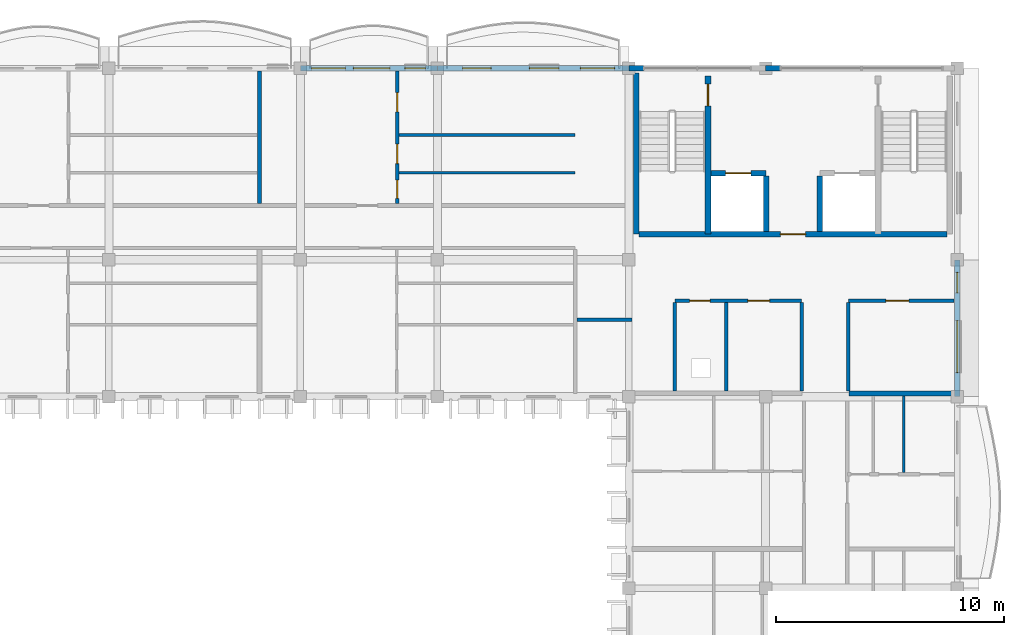
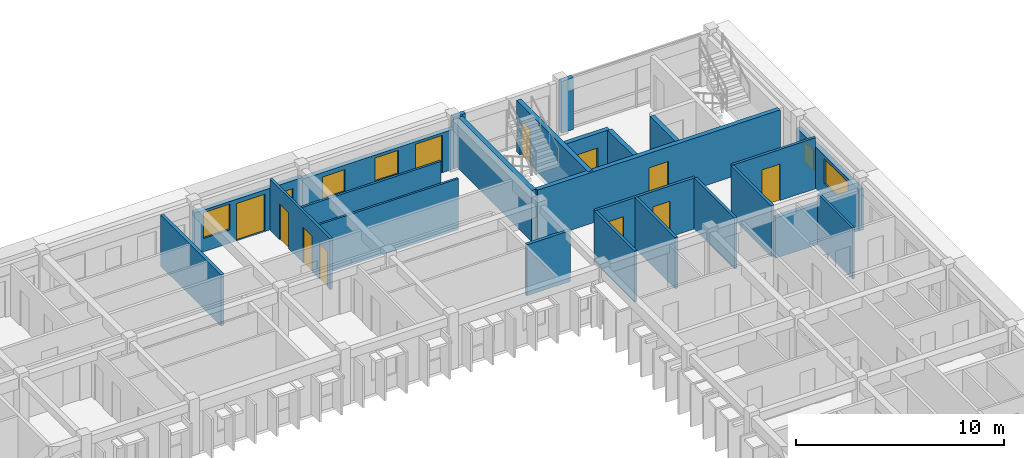
# One storey, part 26 of 45: 24 walls, 11 doors, 6 windows, 17 openings.
"""IFC4 building model written with IfcOpenShell, lengths in metres."""

from ifc_helpers import new_model, si_unit, direction, frame, frame_2d, origin, place, context, subcontext, project, spatial, rectangle, extrude, material, layer, layer_set, type_object, element, fill, save


model = new_model("IFC4")

# Units and contexts
model_context = context("Model", 3, precision=1e-05, world=origin(), true_north=direction((0.0, 1.0)))
body_context = subcontext(model_context, "Body", "Model", "MODEL_VIEW")
ifc_project = project(units=[si_unit("LENGTHUNIT", "METRE"), si_unit("AREAUNIT", "SQUARE_METRE"), si_unit("VOLUMEUNIT", "CUBIC_METRE"), si_unit("PLANEANGLEUNIT", "RADIAN"), si_unit("MASSUNIT", "GRAM", prefix="KILO"), si_unit("THERMODYNAMICTEMPERATUREUNIT", "KELVIN")], contexts=[model_context])

# Site, building, storey
site_placement = place(None, origin())
site = spatial("IfcSite", under=ifc_project, at=site_placement, CompositionType="ELEMENT")
building_placement = place(site_placement, origin())
building = spatial("IfcBuilding", under=site, at=building_placement, Name="Thalorik Housing Commons", CompositionType="ELEMENT")
storey_placement = place(building_placement, frame((0.0, 0.0, 34.5)))
storey = spatial("IfcBuildingStorey", under=building, at=storey_placement, Name="L10", CompositionType="ELEMENT", Elevation=34.5)

# Wall, opening, door
ifc_material_1 = material(Name="Concrete C40/50", Category="concrete")
ifc_layer_1 = layer(ifc_material_1, 0.25, Name="Concrete C40/50", Category="concrete")
ifc_layer_set_1 = layer_set([ifc_layer_1], Name="Concrete C40/50")
wall_type_1 = type_object("IfcWallType", Name="ARC-WAL-CORE-250", PredefinedType="SHEAR", material=ifc_layer_set_1)
wall_1_placement = place(storey_placement, frame((155.875, 123.25, 0.0), z_axis=(0.0, 0.0, 1.0), x_axis=(0.0, -1.0, 0.0)))
wall_1 = element("IfcWall", 1, at=wall_1_placement, inside=storey, type_object=wall_type_1, Name="L10 Core B Stair 1 Shear Wall", PredefinedType="SHEAR", context=body_context, shape_type="SweptSolid", body=[
    extrude(rectangle(XDim=6.925048828125, YDim=0.25, at=frame_2d((3.46240234375, 0.0))), origin(), (0.0, 0.0, 1.0), 3.0),
])
opening_1_placement = place(wall_1_placement, frame((0.35009765625, 0.0, 0.0)))
opening_1 = element("IfcOpeningElement", 2, at=opening_1_placement, cuts=wall_1, Name="Opening ID-0225", PredefinedType="OPENING", context=body_context, shape_type="SweptSolid", body=[
    extrude(rectangle(XDim=0.949951171875, YDim=2.10009765625, at=frame_2d((0.47509765625, 1.050048828125))), frame((0.0, 0.135009765625, 0.0), z_axis=(0.0, -1.0, 0.0), x_axis=(1.0, 0.0, 0.0)), (0.0, 0.0, 1.0), 0.27001953125),
])
ifc_material_2 = material(Name="Steel S355", Category="steel")
door_type_1 = type_object("IfcDoorType", Name="ARC-DR-FD60-950", OperationType="NOTDEFINED", PredefinedType="DOOR", material=ifc_material_2)
door_1_placement = place(opening_1_placement, origin())
door_1 = element("IfcDoor", 3, at=door_1_placement, inside=storey, type_object=door_type_1, Name="L10 Stair ST-B1 Fire Door", OperationType="SINGLE_SWING_RIGHT", OverallHeight=2.10009765625, OverallWidth=0.949951171875, PredefinedType="DOOR", context=body_context, shape_type="SweptSolid", body=[
    extrude(rectangle(XDim=0.949951171875, YDim=2.10009765625, at=frame_2d((0.47509765625, 1.050048828125))), frame((0.0, 0.02490234375, 0.0), z_axis=(0.0, -1.0, 0.0), x_axis=(1.0, 0.0, 0.0)), (0.0, 0.0, 1.0), 0.050048828125),
])
fill(opening_1, door_1)

# Wall
wall_2_placement = place(storey_placement, frame((152.72509765625, 123.39990234375, 0.0), z_axis=(0.0, 0.0, 1.0), x_axis=(0.0, -1.0, 0.0)))
element("IfcWall", 4, at=wall_2_placement, inside=storey, type_object=wall_type_1, Name="L10 Core B Stair 1 Outer Shear Wall", PredefinedType="SHEAR", context=body_context, shape_type="SweptSolid", body=[
    extrude(rectangle(XDim=7.074951171875, YDim=0.25, at=frame_2d((3.53759765625, 0.0))), origin(), (0.0, 0.0, 1.0), 3.0),
])

# Wall, opening, door
wall_3_placement = place(storey_placement, frame((156.0, 119.0, 0.0), z_axis=(0.0, 0.0, 1.0), x_axis=(1.0, 0.0, 0.0)))
wall_3 = element("IfcWall", 5, at=wall_3_placement, inside=storey, type_object=wall_type_1, Name="L10 Lift LF-B1 Front Shaft Wall", PredefinedType="SHEAR", context=body_context, shape_type="SweptSolid", body=[
    extrude(rectangle(XDim=2.425048828125, YDim=0.25, at=frame_2d((1.21240234375, 0.0))), origin(), (0.0, 0.0, 1.0), 3.0),
])
opening_2_placement = place(wall_3_placement, frame((0.64990234375, 0.0, 0.0)))
opening_2 = element("IfcOpeningElement", 6, at=opening_2_placement, cuts=wall_3, Name="Opening LD-LF-B1-L10", PredefinedType="OPENING", context=body_context, shape_type="SweptSolid", body=[
    extrude(rectangle(XDim=1.10009765625, YDim=2.14990234375, at=frame_2d((0.550048828125, 1.074951171875))), frame((0.0, 0.135009765625, 0.0), z_axis=(0.0, -1.0, 0.0), x_axis=(1.0, 0.0, 0.0)), (0.0, 0.0, 1.0), 0.27001953125),
])
door_type_2 = type_object("IfcDoorType", Name="ARC-DR-LIFT-1100", OperationType="NOTDEFINED", PredefinedType="DOOR", material=ifc_material_2)
door_2_placement = place(opening_2_placement, origin())
door_2 = element("IfcDoor", 7, at=door_2_placement, inside=storey, type_object=door_type_2, Name="L10 Lift LF-B1 Landing Door", OperationType="SLIDING_TO_LEFT", OverallHeight=2.14990234375, OverallWidth=1.10009765625, PredefinedType="DOOR", context=body_context, shape_type="SweptSolid", body=[
    extrude(rectangle(XDim=1.10009765625, YDim=2.14990234375, at=frame_2d((0.550048828125, 1.074951171875))), frame((0.0, 0.02490234375, 0.0), z_axis=(0.0, -1.0, 0.0), x_axis=(1.0, 0.0, 0.0)), (0.0, 0.0, 1.0), 0.050048828125),
])
fill(opening_2, door_2)

# Walls
for number, where, z_axis, x_axis, name in (
    (8, (158.425048828125, 118.875, 0.0), (0.0, 0.0, 1.0), (0.0, -1.0, 0.0), "L10 Lift 1 Cheek Wall"),
    (9, (160.77490234375, 118.875, 0.0), (0.0, 0.0, 1.0), (0.0, -1.0, 0.0), "L10 Lift 2 Cheek Wall"),
):
    element("IfcWall", number, at=place(storey_placement, frame(where, z_axis=z_axis, x_axis=x_axis)), inside=storey, type_object=wall_type_1, Name=name, PredefinedType="SHEAR", context=body_context, shape_type="SweptSolid", body=[
        extrude(rectangle(XDim=2.425048828125, YDim=0.25, at=frame_2d((1.21240234375, 0.0))), origin(), (0.0, 0.0, 1.0), 3.0),
    ])

# Wall, opening, door
wall_4_placement = place(storey_placement, frame((152.85009765625, 116.324951171875, 0.0), z_axis=(0.0, 0.0, 1.0), x_axis=(1.0, 0.0, 0.0)))
wall_4 = element("IfcWall", 10, at=wall_4_placement, inside=storey, type_object=wall_type_1, Name="L10 Core B Spine Shear Wall", PredefinedType="SHEAR", context=body_context, shape_type="SweptSolid", body=[
    extrude(rectangle(XDim=13.5, YDim=0.25, at=frame_2d((6.75, 0.0))), origin(), (0.0, 0.0, 1.0), 3.0),
])
opening_3_placement = place(wall_4_placement, frame((6.199951171875, 0.0, 0.0)))
opening_3 = element("IfcOpeningElement", 11, at=opening_3_placement, cuts=wall_4, Name="Opening ID-0229", PredefinedType="OPENING", context=body_context, shape_type="SweptSolid", body=[
    extrude(rectangle(XDim=1.10009765625, YDim=2.14990234375, at=frame_2d((0.550048828125, 1.074951171875))), frame((0.0, 0.135009765625, 0.0), z_axis=(0.0, -1.0, 0.0), x_axis=(1.0, 0.0, 0.0)), (0.0, 0.0, 1.0), 0.27001953125),
])
door_type_3 = type_object("IfcDoorType", Name="ARC-DR-FD60-1100", OperationType="NOTDEFINED", PredefinedType="DOOR", material=ifc_material_2)
door_3_placement = place(opening_3_placement, origin())
door_3 = element("IfcDoor", 12, at=door_3_placement, inside=storey, type_object=door_type_3, Name="L10 Core B Lobby Fire Door", OperationType="SINGLE_SWING_RIGHT", OverallHeight=2.14990234375, OverallWidth=1.10009765625, PredefinedType="DOOR", context=body_context, shape_type="SweptSolid", body=[
    extrude(rectangle(XDim=1.10009765625, YDim=2.14990234375, at=frame_2d((0.550048828125, 1.074951171875))), frame((0.0, 0.02490234375, 0.0), z_axis=(0.0, -1.0, 0.0), x_axis=(1.0, 0.0, 0.0)), (0.0, 0.0, 1.0), 0.050048828125),
])
fill(opening_3, door_3)

# Wall
ifc_material_3 = material(Name="Masonry fire-rated corridor wall", Category="masonry")
ifc_layer_2 = layer(ifc_material_3, 0.1650390625, Name="Masonry fire-rated corridor wall", Category="masonry")
ifc_layer_set_2 = layer_set([ifc_layer_2], Name="Masonry fire-rated corridor wall")
wall_type_2 = type_object("IfcWallType", Name="ARC-WAL-CORR-165", PredefinedType="PARTITIONING", material=ifc_layer_set_2)
wall_5_placement = place(storey_placement, frame((150.126953125, 112.570068359375, 0.0), z_axis=(0.0, 0.0, 1.0), x_axis=(1.0, 0.0, 0.0)))
element("IfcWall", 13, at=wall_5_placement, inside=storey, type_object=wall_type_2, Name="L10 Block B Vestibule South Wall", PredefinedType="PARTITIONING", context=body_context, shape_type="SweptSolid", body=[
    extrude(rectangle(XDim=2.4130859375, YDim=0.1650390625, at=frame_2d((1.20654296875, 0.0))), origin(), (0.0, 0.0, 1.0), 3.0),
])

# Wall, openings, windows
ifc_material_4 = material(Name="White precast concrete C40/50", Category="concrete")
ifc_layer_3 = layer(ifc_material_4, 0.2548828125, Name="White precast concrete C40/50", Category="concrete")
ifc_layer_set_3 = layer_set([ifc_layer_3], Name="White precast concrete C40/50")
wall_type_3 = type_object("IfcWallType", Name="ARC-WAL-EXT-255", PredefinedType="STANDARD", material=ifc_layer_set_3)
wall_6_placement = place(storey_placement, frame((166.800048828125, 109.199951171875, 0.0), z_axis=(0.0, 0.0, 1.0), x_axis=(0.0, 1.0, 0.0)))
wall_6 = element("IfcWall", 14, at=wall_6_placement, inside=storey, type_object=wall_type_3, Name="L10 Exterior Wall WAL-EXT-L10-B-0743", PredefinedType="STANDARD", context=body_context, shape_type="SweptSolid", body=[
    extrude(rectangle(XDim=6.0, YDim=0.2548828125, at=frame_2d((3.0, 0.0))), origin(), (0.0, 0.0, 1.0), 2.445068359375),
])
opening_4_placement = place(wall_6_placement, frame((1.054931640625, 0.0, 0.780029296875)))
opening_4 = element("IfcOpeningElement", 15, at=opening_4_placement, cuts=wall_6, Name="Opening W-67", PredefinedType="OPENING", context=body_context, shape_type="SweptSolid", body=[
    extrude(rectangle(XDim=2.280029296875, YDim=1.4599609375, at=frame_2d((1.14013671875, 0.72998046875))), frame((0.0, 0.137451171875, 0.0), z_axis=(0.0, -1.0, 0.0), x_axis=(1.0, 0.0, 0.0)), (0.0, 0.0, 1.0), 0.27490234375),
])
opening_5_placement = place(wall_6_placement, frame((4.554931640625, 0.0, 0.780029296875)))
opening_5 = element("IfcOpeningElement", 16, at=opening_5_placement, cuts=wall_6, Name="Opening W-01", PredefinedType="OPENING", context=body_context, shape_type="SweptSolid", body=[
    extrude(rectangle(XDim=0.89990234375, YDim=1.199951171875, at=frame_2d((0.449951171875, 0.60009765625))), frame((0.0, 0.137451171875, 0.0), z_axis=(0.0, -1.0, 0.0), x_axis=(1.0, 0.0, 0.0)), (0.0, 0.0, 1.0), 0.27490234375),
])
ifc_material_5 = material(Name="Anodised aluminium and solar-control low-E glass", Category="aluminium")
window_type_1 = type_object("IfcWindowType", Name="ARC-WIN-01", PartitioningType="SINGLE_PANEL", PredefinedType="WINDOW", material=ifc_material_5)
window_1_placement = place(opening_5_placement, origin())
window_1 = element("IfcWindow", 17, at=window_1_placement, inside=storey, type_object=window_type_1, Name="L10 Facade Window 1366", OverallHeight=1.199951171875, OverallWidth=0.89990234375, PartitioningType="SINGLE_PANEL", PredefinedType="WINDOW", context=body_context, shape_type="SweptSolid", body=[
    extrude(rectangle(XDim=0.89990234375, YDim=1.199951171875, at=frame_2d((0.449951171875, 0.60009765625))), frame((0.0, 0.030029296875, 0.0), z_axis=(0.0, -1.0, 0.0), x_axis=(1.0, 0.0, 0.0)), (0.0, 0.0, 1.0), 0.06005859375),
])
fill(opening_5, window_1)
window_type_2 = type_object("IfcWindowType", Name="ARC-WIN-67", PartitioningType="DOUBLE_PANEL_VERTICAL", PredefinedType="WINDOW", material=ifc_material_5)
window_2_placement = place(opening_4_placement, origin())
window_2 = element("IfcWindow", 18, at=window_2_placement, inside=storey, type_object=window_type_2, Name="L10 Facade Window 1365", OverallHeight=1.4599609375, OverallWidth=2.280029296875, PartitioningType="DOUBLE_PANEL_VERTICAL", PredefinedType="WINDOW", context=body_context, shape_type="SweptSolid", body=[
    extrude(rectangle(XDim=2.280029296875, YDim=1.4599609375, at=frame_2d((1.14013671875, 0.72998046875))), frame((0.0, 0.030029296875, 0.0), z_axis=(0.0, -1.0, 0.0), x_axis=(1.0, 0.0, 0.0)), (0.0, 0.0, 1.0), 0.06005859375),
])
fill(opening_4, window_2)

# Walls
for number, where, z_axis, x_axis, name in (
    (19, (159.050048828125, 123.60009765625, 0.0), (0.0, 0.0, 1.0), (-1.0, 0.0, 0.0), "L10 Exterior Wall WAL-PIERR-L10-B-0745"),
    (20, (153.050048828125, 123.60009765625, 0.0), (0.0, 0.0, 1.0), (-1.0, 0.0, 0.0), "L10 Exterior Wall WAL-PIERR-L10-B-0746"),
):
    element("IfcWall", number, at=place(storey_placement, frame(where, z_axis=z_axis, x_axis=x_axis)), inside=storey, type_object=wall_type_3, Name=name, PredefinedType="STANDARD", context=body_context, shape_type="SweptSolid", body=[
        extrude(rectangle(XDim=0.650146484375, YDim=0.2548828125, at=frame_2d((0.3251953125, 0.0))), origin(), (0.0, 0.0, 1.0), 3.0400390625),
    ])

# Wall, openings, door, windows
wall_7_placement = place(storey_placement, frame((152.39990234375, 123.60009765625, 0.0), z_axis=(0.0, 0.0, 1.0), x_axis=(-1.0, 0.0, 0.0)))
wall_7 = element("IfcWall", 21, at=wall_7_placement, inside=storey, type_object=wall_type_3, Name="L10 Exterior Wall WAL-EXT-L10-B-0747", PredefinedType="STANDARD", context=body_context, shape_type="SweptSolid", body=[
    extrude(rectangle(XDim=8.39990234375, YDim=0.2548828125, at=frame_2d((4.199951171875, 0.0))), origin(), (0.0, 0.0, 1.0), 2.344970703125),
])
opening_6_placement = place(wall_7_placement, frame((0.6201171875, 0.0, 0.0)))
opening_6 = element("IfcOpeningElement", 22, at=opening_6_placement, cuts=wall_7, Name="Opening ED-0250", PredefinedType="OPENING", context=body_context, shape_type="SweptSolid", body=[
    extrude(rectangle(XDim=1.5, YDim=2.199951171875, at=frame_2d((0.75, 1.10009765625))), frame((0.0, 0.137451171875, 0.0), z_axis=(0.0, -1.0, 0.0), x_axis=(1.0, 0.0, 0.0)), (0.0, 0.0, 1.0), 0.27490234375),
])
opening_7_placement = place(wall_7_placement, frame((3.06494140625, 0.0, 0.780029296875)))
opening_7 = element("IfcOpeningElement", 23, at=opening_7_placement, cuts=wall_7, Name="Opening W-06", PredefinedType="OPENING", context=body_context, shape_type="SweptSolid", body=[
    extrude(rectangle(XDim=1.300048828125, YDim=1.39990234375, at=frame_2d((0.64990234375, 0.699951171875))), frame((0.0, 0.137451171875, 0.0), z_axis=(0.0, -1.0, 0.0), x_axis=(1.0, 0.0, 0.0)), (0.0, 0.0, 1.0), 0.27490234375),
])
opening_8_placement = place(wall_7_placement, frame((6.0400390625, 0.0, 0.780029296875)))
opening_8 = element("IfcOpeningElement", 24, at=opening_8_placement, cuts=wall_7, Name="Opening W-46", PredefinedType="OPENING", context=body_context, shape_type="SweptSolid", body=[
    extrude(rectangle(XDim=1.25, YDim=1.300048828125, at=frame_2d((0.625, 0.64990234375))), frame((0.0, 0.137451171875, 0.0), z_axis=(0.0, -1.0, 0.0), x_axis=(1.0, 0.0, 0.0)), (0.0, 0.0, 1.0), 0.27490234375),
])
ifc_material_6 = material(Name="Anodised aluminium and laminated safety glass", Category="aluminium")
door_type_4 = type_object("IfcDoorType", Name="ARC-DR-BAL-1500", OperationType="NOTDEFINED", PredefinedType="DOOR", material=ifc_material_6)
door_4_placement = place(opening_6_placement, frame((1.5, 0.0, 0.0), z_axis=(0.0, 0.0, 1.0), x_axis=(-1.0, 0.0, 0.0)))
door_4 = element("IfcDoor", 25, at=door_4_placement, inside=storey, type_object=door_type_4, Name="L10 Block B Balcony Glazed Door", OperationType="SLIDING_TO_RIGHT", OverallHeight=2.199951171875, OverallWidth=1.5, PredefinedType="DOOR", context=body_context, shape_type="SweptSolid", body=[
    extrude(rectangle(XDim=1.5, YDim=2.199951171875, at=frame_2d((0.75, 1.10009765625))), frame((0.0, 0.02490234375, 0.0), z_axis=(0.0, -1.0, 0.0), x_axis=(1.0, 0.0, 0.0)), (0.0, 0.0, 1.0), 0.050048828125),
])
fill(opening_6, door_4)
window_type_3 = type_object("IfcWindowType", Name="ARC-WIN-06", PartitioningType="SINGLE_PANEL", PredefinedType="WINDOW", material=ifc_material_5)
window_3_placement = place(opening_7_placement, origin())
window_3 = element("IfcWindow", 26, at=window_3_placement, inside=storey, type_object=window_type_3, Name="L10 Facade Window 1369", OverallHeight=1.39990234375, OverallWidth=1.300048828125, PartitioningType="SINGLE_PANEL", PredefinedType="WINDOW", context=body_context, shape_type="SweptSolid", body=[
    extrude(rectangle(XDim=1.300048828125, YDim=1.39990234375, at=frame_2d((0.64990234375, 0.699951171875))), frame((0.0, 0.030029296875, 0.0), z_axis=(0.0, -1.0, 0.0), x_axis=(1.0, 0.0, 0.0)), (0.0, 0.0, 1.0), 0.06005859375),
])
fill(opening_7, window_3)
window_type_4 = type_object("IfcWindowType", Name="ARC-WIN-46", PartitioningType="SINGLE_PANEL", PredefinedType="WINDOW", material=ifc_material_5)
window_4_placement = place(opening_8_placement, origin())
window_4 = element("IfcWindow", 27, at=window_4_placement, inside=storey, type_object=window_type_4, Name="L10 Facade Window 1370", OverallHeight=1.300048828125, OverallWidth=1.25, PartitioningType="SINGLE_PANEL", PredefinedType="WINDOW", context=body_context, shape_type="SweptSolid", body=[
    extrude(rectangle(XDim=1.25, YDim=1.300048828125, at=frame_2d((0.625, 0.64990234375))), frame((0.0, 0.030029296875, 0.0), z_axis=(0.0, -1.0, 0.0), x_axis=(1.0, 0.0, 0.0)), (0.0, 0.0, 1.0), 0.06005859375),
])
fill(opening_8, window_4)

wall_8_placement = place(storey_placement, frame((144.0, 123.60009765625, 0.0), z_axis=(0.0, 0.0, 1.0), x_axis=(-1.0, 0.0, 0.0)))
wall_8 = element("IfcWall", 28, at=wall_8_placement, inside=storey, type_object=wall_type_3, Name="L10 Exterior Wall WAL-EXT-L10-B-0748", PredefinedType="STANDARD", context=body_context, shape_type="SweptSolid", body=[
    extrude(rectangle(XDim=6.0, YDim=0.2548828125, at=frame_2d((3.0, 0.0))), origin(), (0.0, 0.0, 1.0), 2.445068359375),
])
opening_9_placement = place(wall_8_placement, frame((2.08203125, 0.0, 0.0)))
opening_9 = element("IfcOpeningElement", 29, at=opening_9_placement, cuts=wall_8, Name="Opening ED-0251", PredefinedType="OPENING", context=body_context, shape_type="SweptSolid", body=[
    extrude(rectangle(XDim=1.60009765625, YDim=2.199951171875, at=frame_2d((0.800048828125, 1.10009765625))), frame((0.0, 0.137451171875, 0.0), z_axis=(0.0, -1.0, 0.0), x_axis=(1.0, 0.0, 0.0)), (0.0, 0.0, 1.0), 0.27490234375),
])
opening_10_placement = place(wall_8_placement, frame((0.52099609375, 0.0, 0.780029296875)))
opening_10 = element("IfcOpeningElement", 30, at=opening_10_placement, cuts=wall_8, Name="Opening W-01", PredefinedType="OPENING", context=body_context, shape_type="SweptSolid", body=[
    extrude(rectangle(XDim=0.89990234375, YDim=1.199951171875, at=frame_2d((0.449951171875, 0.60009765625))), frame((0.0, 0.137451171875, 0.0), z_axis=(0.0, -1.0, 0.0), x_axis=(1.0, 0.0, 0.0)), (0.0, 0.0, 1.0), 0.27490234375),
])
opening_11_placement = place(wall_8_placement, frame((4.031005859375, 0.0, 0.780029296875)))
opening_11 = element("IfcOpeningElement", 31, at=opening_11_placement, cuts=wall_8, Name="Opening W-51", PredefinedType="OPENING", context=body_context, shape_type="SweptSolid", body=[
    extrude(rectangle(XDim=1.47998046875, YDim=1.52001953125, at=frame_2d((0.739990234375, 0.760009765625))), frame((0.0, 0.137451171875, 0.0), z_axis=(0.0, -1.0, 0.0), x_axis=(1.0, 0.0, 0.0)), (0.0, 0.0, 1.0), 0.27490234375),
])
door_type_5 = type_object("IfcDoorType", Name="ARC-DR-BAL-1600", OperationType="NOTDEFINED", PredefinedType="DOOR", material=ifc_material_6)
door_5_placement = place(opening_9_placement, frame((1.60009765625, 0.0, 0.0), z_axis=(0.0, 0.0, 1.0), x_axis=(-1.0, 0.0, 0.0)))
door_5 = element("IfcDoor", 32, at=door_5_placement, inside=storey, type_object=door_type_5, Name="L10 Block B Balcony Glazed Door", OperationType="SLIDING_TO_LEFT", OverallHeight=2.199951171875, OverallWidth=1.60009765625, PredefinedType="DOOR", context=body_context, shape_type="SweptSolid", body=[
    extrude(rectangle(XDim=1.60009765625, YDim=2.199951171875, at=frame_2d((0.800048828125, 1.10009765625))), frame((0.0, 0.02490234375, 0.0), z_axis=(0.0, -1.0, 0.0), x_axis=(1.0, 0.0, 0.0)), (0.0, 0.0, 1.0), 0.050048828125),
])
fill(opening_9, door_5)
window_5_placement = place(opening_10_placement, origin())
window_5 = element("IfcWindow", 33, at=window_5_placement, inside=storey, type_object=window_type_1, Name="L10 Facade Window 1371", OverallHeight=1.199951171875, OverallWidth=0.89990234375, PartitioningType="SINGLE_PANEL", PredefinedType="WINDOW", context=body_context, shape_type="SweptSolid", body=[
    extrude(rectangle(XDim=0.89990234375, YDim=1.199951171875, at=frame_2d((0.449951171875, 0.60009765625))), frame((0.0, 0.030029296875, 0.0), z_axis=(0.0, -1.0, 0.0), x_axis=(1.0, 0.0, 0.0)), (0.0, 0.0, 1.0), 0.06005859375),
])
fill(opening_10, window_5)
window_type_5 = type_object("IfcWindowType", Name="ARC-WIN-51", PartitioningType="SINGLE_PANEL", PredefinedType="WINDOW", material=ifc_material_5)
window_6_placement = place(opening_11_placement, origin())
window_6 = element("IfcWindow", 34, at=window_6_placement, inside=storey, type_object=window_type_5, Name="L10 Facade Window 1372", OverallHeight=1.52001953125, OverallWidth=1.47998046875, PartitioningType="SINGLE_PANEL", PredefinedType="WINDOW", context=body_context, shape_type="SweptSolid", body=[
    extrude(rectangle(XDim=1.47998046875, YDim=1.52001953125, at=frame_2d((0.739990234375, 0.760009765625))), frame((0.0, 0.030029296875, 0.0), z_axis=(0.0, -1.0, 0.0), x_axis=(1.0, 0.0, 0.0)), (0.0, 0.0, 1.0), 0.06005859375),
])
fill(opening_11, window_6)

# Walls
ifc_material_7 = material(Name="Gypsum moisture-resistant partition", Category="masonry")
ifc_layer_4 = layer(ifc_material_7, 0.114990234375, Name="Gypsum moisture-resistant partition", Category="masonry")
ifc_layer_set_4 = layer_set([ifc_layer_4], Name="Gypsum moisture-resistant partition")
wall_type_4 = type_object("IfcWallType", Name="ARC-WAL-PART-115", PredefinedType="PARTITIONING", material=ifc_layer_set_4)
wall_9_placement = place(storey_placement, frame((142.320068359375, 119.010498046875, 0.0), z_axis=(0.0, 0.0, 1.0), x_axis=(1.0, 0.0, 0.0)))
element("IfcWall", 35, at=wall_9_placement, inside=storey, type_object=wall_type_4, Name="L10 Unit 3B Wet Wall", PredefinedType="PARTITIONING", context=body_context, shape_type="SweptSolid", body=[
    extrude(rectangle(XDim=7.72998046875, YDim=0.114990234375, at=frame_2d((3.864990234375, 0.0))), origin(), (0.0, 0.0, 1.0), 3.0),
])
ifc_material_8 = material(Name="Gypsum acoustic stud partition", Category="masonry")
ifc_layer_5 = layer(ifc_material_8, 0.125, Name="Gypsum acoustic stud partition", Category="masonry")
ifc_layer_set_5 = layer_set([ifc_layer_5], Name="Gypsum acoustic stud partition")
wall_type_5 = type_object("IfcWallType", Name="ARC-WAL-PART-125", PredefinedType="PARTITIONING", material=ifc_layer_set_5)
wall_10_placement = place(storey_placement, frame((142.320068359375, 120.67919921875, 0.0), z_axis=(0.0, 0.0, 1.0), x_axis=(1.0, 0.0, 0.0)))
element("IfcWall", 36, at=wall_10_placement, inside=storey, type_object=wall_type_5, Name="L10 Unit 3B Bedroom Partition", PredefinedType="PARTITIONING", context=body_context, shape_type="SweptSolid", body=[
    extrude(rectangle(XDim=7.72998046875, YDim=0.125, at=frame_2d((3.864990234375, 0.0))), origin(), (0.0, 0.0, 1.0), 3.0),
])
wall_11_placement = place(storey_placement, frame((164.455078125, 105.865478515625, 0.0), z_axis=(0.0, 0.0, 1.0), x_axis=(0.0, 1.0, 0.0)))
element("IfcWall", 37, at=wall_11_placement, inside=storey, type_object=wall_type_5, Name="L10 Unit 3B Bedroom Partition", PredefinedType="PARTITIONING", context=body_context, shape_type="SweptSolid", body=[
    extrude(rectangle(XDim=3.362548828125, YDim=0.125, at=frame_2d((1.68115234375, 0.0))), origin(), (0.0, 0.0, 1.0), 3.0),
])

# Wall, openings, doors
ifc_material_9 = material(Name="Ceramic masonry partition wall", Category="masonry")
ifc_layer_6 = layer(ifc_material_9, 0.139892578125, Name="Ceramic masonry partition wall", Category="masonry")
ifc_layer_set_6 = layer_set([ifc_layer_6], Name="Ceramic masonry partition wall")
wall_type_6 = type_object("IfcWallType", Name="ARC-WAL-PART-140", PredefinedType="PARTITIONING", material=ifc_layer_set_6)
wall_12_placement = place(storey_placement, frame((142.248046875, 117.66455078125, 0.0), z_axis=(0.0, 0.0, 1.0), x_axis=(0.0, 1.0, 0.0)))
wall_12 = element("IfcWall", 38, at=wall_12_placement, inside=storey, type_object=wall_type_6, Name="L10 Unit 3B Spine Partition", PredefinedType="PARTITIONING", context=body_context, shape_type="SweptSolid", body=[
    extrude(rectangle(XDim=5.805908203125, YDim=0.139892578125, at=frame_2d((2.90283203125, 0.0))), origin(), (0.0, 0.0, 1.0), 3.0),
])
opening_12_placement = place(wall_12_placement, frame((0.230712890625, 0.0, 0.0)))
opening_12 = element("IfcOpeningElement", 39, at=opening_12_placement, cuts=wall_12, Name="Opening ID-1445", PredefinedType="OPENING", context=body_context, shape_type="SweptSolid", body=[
    extrude(rectangle(XDim=0.800048828125, YDim=2.10009765625, at=frame_2d((0.39990234375, 1.050048828125))), frame((0.0, 0.080078125, 0.0), z_axis=(0.0, -1.0, 0.0), x_axis=(1.0, 0.0, 0.0)), (0.0, 0.0, 1.0), 0.159912109375),
])
opening_13_placement = place(wall_12_placement, frame((1.75537109375, 0.0, 0.0)))
opening_13 = element("IfcOpeningElement", 40, at=opening_13_placement, cuts=wall_12, Name="Opening ID-1446", PredefinedType="OPENING", context=body_context, shape_type="SweptSolid", body=[
    extrude(rectangle(XDim=0.85009765625, YDim=2.10009765625, at=frame_2d((0.425048828125, 1.050048828125))), frame((0.0, 0.080078125, 0.0), z_axis=(0.0, -1.0, 0.0), x_axis=(1.0, 0.0, 0.0)), (0.0, 0.0, 1.0), 0.159912109375),
])
opening_14_placement = place(wall_12_placement, frame((4.02001953125, 0.0, 0.0)))
opening_14 = element("IfcOpeningElement", 41, at=opening_14_placement, cuts=wall_12, Name="Opening ID-1447", PredefinedType="OPENING", context=body_context, shape_type="SweptSolid", body=[
    extrude(rectangle(XDim=0.85009765625, YDim=2.10009765625, at=frame_2d((0.425048828125, 1.050048828125))), frame((0.0, 0.080078125, 0.0), z_axis=(0.0, -1.0, 0.0), x_axis=(1.0, 0.0, 0.0)), (0.0, 0.0, 1.0), 0.159912109375),
])
ifc_material_10 = material(Name="Moisture-resistant timber", Category="wood")
door_type_6 = type_object("IfcDoorType", Name="ARC-DR-INT-800", OperationType="NOTDEFINED", PredefinedType="DOOR", material=ifc_material_10)
door_6_placement = place(opening_12_placement, origin())
door_6 = element("IfcDoor", 42, at=door_6_placement, inside=storey, type_object=door_type_6, Name="L10 Accessible Bathroom Door", OperationType="SINGLE_SWING_RIGHT", OverallHeight=2.10009765625, OverallWidth=0.800048828125, PredefinedType="DOOR", context=body_context, shape_type="SweptSolid", body=[
    extrude(rectangle(XDim=0.800048828125, YDim=2.10009765625, at=frame_2d((0.39990234375, 1.050048828125))), frame((0.0, 0.02490234375, 0.0), z_axis=(0.0, -1.0, 0.0), x_axis=(1.0, 0.0, 0.0)), (0.0, 0.0, 1.0), 0.050048828125),
])
fill(opening_12, door_6)
ifc_material_11 = material(Name="Engineered oak timber", Category="wood")
door_type_7 = type_object("IfcDoorType", Name="ARC-DR-INT-850", OperationType="NOTDEFINED", PredefinedType="DOOR", material=ifc_material_11)
door_7_placement = place(opening_13_placement, origin())
door_7 = element("IfcDoor", 43, at=door_7_placement, inside=storey, type_object=door_type_7, Name="L10 Eat-In Kitchen Door", OperationType="SINGLE_SWING_LEFT", OverallHeight=2.10009765625, OverallWidth=0.85009765625, PredefinedType="DOOR", context=body_context, shape_type="SweptSolid", body=[
    extrude(rectangle(XDim=0.85009765625, YDim=2.10009765625, at=frame_2d((0.425048828125, 1.050048828125))), frame((0.0, 0.02490234375, 0.0), z_axis=(0.0, -1.0, 0.0), x_axis=(1.0, 0.0, 0.0)), (0.0, 0.0, 1.0), 0.050048828125),
])
fill(opening_13, door_7)
door_8_placement = place(opening_14_placement, origin())
door_8 = element("IfcDoor", 44, at=door_8_placement, inside=storey, type_object=door_type_7, Name="L10 Master Bedroom Door", OperationType="SINGLE_SWING_RIGHT", OverallHeight=2.10009765625, OverallWidth=0.85009765625, PredefinedType="DOOR", context=body_context, shape_type="SweptSolid", body=[
    extrude(rectangle(XDim=0.85009765625, YDim=2.10009765625, at=frame_2d((0.425048828125, 1.050048828125))), frame((0.0, 0.02490234375, 0.0), z_axis=(0.0, -1.0, 0.0), x_axis=(1.0, 0.0, 0.0)), (0.0, 0.0, 1.0), 0.050048828125),
])
fill(opening_14, door_8)

# Walls
ifc_layer_7 = layer(ifc_material_9, 0.14794921875, Name="Ceramic masonry partition wall", Category="masonry")
ifc_layer_set_7 = layer_set([ifc_layer_7], Name="Ceramic masonry partition wall")
wall_type_7 = type_object("IfcWallType", Name="ARC-WAL-PART-150", PredefinedType="PARTITIONING", material=ifc_layer_set_7)
for number, where, z_axis, x_axis, name in (
    (45, (154.419921875, 113.323974609375, 0.0), (0.0, 0.0, 1.0), (0.0, -1.0, 0.0), "Core West Enclosing Wall"),
    (46, (156.675048828125, 113.323974609375, 0.0), (0.0, 0.0, 1.0), (0.0, -1.0, 0.0), "Riser Wall"),
    (47, (159.97509765625, 113.323974609375, 0.0), (0.0, 0.0, 1.0), (0.0, -1.0, 0.0), "Core Stem West Cheek Wall"),
):
    element("IfcWall", number, at=place(storey_placement, frame(where, z_axis=z_axis, x_axis=x_axis)), inside=storey, type_object=wall_type_7, Name=name, PredefinedType="PARTITIONING", context=body_context, shape_type="SweptSolid", body=[
        extrude(rectangle(XDim=3.882080078125, YDim=0.14794921875, at=frame_2d((1.94091796875, 0.0))), origin(), (0.0, 0.0, 1.0), 3.0),
    ])
wall_13_placement = place(storey_placement, frame((162.02490234375, 113.323974609375, 0.0), z_axis=(0.0, 0.0, 1.0), x_axis=(0.0, -1.0, 0.0)))
element("IfcWall", 48, at=wall_13_placement, inside=storey, type_object=wall_type_7, Name="Core Stem East Cheek Wall", PredefinedType="PARTITIONING", context=body_context, shape_type="SweptSolid", body=[
    extrude(rectangle(XDim=3.8720703125, YDim=0.14794921875, at=frame_2d((1.93603515625, 0.0))), origin(), (0.0, 0.0, 1.0), 3.0),
])

# Wall, openings, doors
wall_14_placement = place(storey_placement, frame((154.419921875, 113.39990234375, 0.0), z_axis=(0.0, 0.0, 1.0), x_axis=(1.0, 0.0, 0.0)))
wall_14 = element("IfcWall", 49, at=wall_14_placement, inside=storey, type_object=wall_type_7, Name="L10 Core B West Corridor Partition", PredefinedType="PARTITIONING", context=body_context, shape_type="SweptSolid", body=[
    extrude(rectangle(XDim=5.55517578125, YDim=0.14794921875, at=frame_2d((2.777587890625, 0.0))), origin(), (0.0, 0.0, 1.0), 3.0),
])
opening_15_placement = place(wall_14_placement, frame((0.64990234375, 0.0, 0.0)))
opening_15 = element("IfcOpeningElement", 50, at=opening_15_placement, cuts=wall_14, Name="Opening ID-0230", PredefinedType="OPENING", context=body_context, shape_type="SweptSolid", body=[
    extrude(rectangle(XDim=0.89990234375, YDim=2.10009765625, at=frame_2d((0.449951171875, 1.050048828125))), frame((0.0, 0.083984375, 0.0), z_axis=(0.0, -1.0, 0.0), x_axis=(1.0, 0.0, 0.0)), (0.0, 0.0, 1.0), 0.16796875),
])
opening_16_placement = place(wall_14_placement, frame((3.199951171875, 0.0, 0.0)))
opening_16 = element("IfcOpeningElement", 51, at=opening_16_placement, cuts=wall_14, Name="Opening ID-0231", PredefinedType="OPENING", context=body_context, shape_type="SweptSolid", body=[
    extrude(rectangle(XDim=0.949951171875, YDim=2.10009765625, at=frame_2d((0.47509765625, 1.050048828125))), frame((0.0, 0.083984375, 0.0), z_axis=(0.0, -1.0, 0.0), x_axis=(1.0, 0.0, 0.0)), (0.0, 0.0, 1.0), 0.16796875),
])
door_type_8 = type_object("IfcDoorType", Name="ARC-DR-FD60-900", OperationType="NOTDEFINED", PredefinedType="DOOR", material=ifc_material_2)
door_9_placement = place(opening_15_placement, origin())
door_9 = element("IfcDoor", 52, at=door_9_placement, inside=storey, type_object=door_type_8, Name="Electrical Riser Door", OperationType="SINGLE_SWING_LEFT", OverallHeight=2.10009765625, OverallWidth=0.89990234375, PredefinedType="DOOR", context=body_context, shape_type="SweptSolid", body=[
    extrude(rectangle(XDim=0.89990234375, YDim=2.10009765625, at=frame_2d((0.449951171875, 1.050048828125))), frame((0.0, 0.02490234375, 0.0), z_axis=(0.0, -1.0, 0.0), x_axis=(1.0, 0.0, 0.0)), (0.0, 0.0, 1.0), 0.050048828125),
])
fill(opening_15, door_9)
door_type_9 = type_object("IfcDoorType", Name="ARC-DR-INT-950", OperationType="NOTDEFINED", PredefinedType="DOOR", material=ifc_material_11)
door_10_placement = place(opening_16_placement, origin())
door_10 = element("IfcDoor", 53, at=door_10_placement, inside=storey, type_object=door_type_9, Name="Accessible Bathroom Door", OperationType="SINGLE_SWING_RIGHT", OverallHeight=2.10009765625, OverallWidth=0.949951171875, PredefinedType="DOOR", context=body_context, shape_type="SweptSolid", body=[
    extrude(rectangle(XDim=0.949951171875, YDim=2.10009765625, at=frame_2d((0.47509765625, 1.050048828125))), frame((0.0, 0.02490234375, 0.0), z_axis=(0.0, -1.0, 0.0), x_axis=(1.0, 0.0, 0.0)), (0.0, 0.0, 1.0), 0.050048828125),
])
fill(opening_16, door_10)

# Wall, opening, door
wall_15_placement = place(storey_placement, frame((162.02490234375, 113.39990234375, 0.0), z_axis=(0.0, 0.0, 1.0), x_axis=(1.0, 0.0, 0.0)))
wall_15 = element("IfcWall", 54, at=wall_15_placement, inside=storey, type_object=wall_type_7, Name="L10 Core B East Corridor Partition", PredefinedType="PARTITIONING", context=body_context, shape_type="SweptSolid", body=[
    extrude(rectangle(XDim=4.635009765625, YDim=0.14794921875, at=frame_2d((2.3173828125, 0.0))), origin(), (0.0, 0.0, 1.0), 3.0),
])
opening_17_placement = place(wall_15_placement, frame((1.64990234375, 0.0, 0.0)))
opening_17 = element("IfcOpeningElement", 55, at=opening_17_placement, cuts=wall_15, Name="Opening ID-0232", PredefinedType="OPENING", context=body_context, shape_type="SweptSolid", body=[
    extrude(rectangle(XDim=1.0, YDim=2.14990234375, at=frame_2d((0.5, 1.074951171875))), frame((0.0, 0.083984375, 0.0), z_axis=(0.0, -1.0, 0.0), x_axis=(1.0, 0.0, 0.0)), (0.0, 0.0, 1.0), 0.16796875),
])
door_type_10 = type_object("IfcDoorType", Name="ARC-DR-FD60-1000", OperationType="NOTDEFINED", PredefinedType="DOOR", material=ifc_material_2)
door_11_placement = place(opening_17_placement, origin())
door_11 = element("IfcDoor", 56, at=door_11_placement, inside=storey, type_object=door_type_10, Name="Core Hub Room Door", OperationType="SINGLE_SWING_LEFT", OverallHeight=2.14990234375, OverallWidth=1.0, PredefinedType="DOOR", context=body_context, shape_type="SweptSolid", body=[
    extrude(rectangle(XDim=1.0, YDim=2.14990234375, at=frame_2d((0.5, 1.074951171875))), frame((0.0, 0.02490234375, 0.0), z_axis=(0.0, -1.0, 0.0), x_axis=(1.0, 0.0, 0.0)), (0.0, 0.0, 1.0), 0.050048828125),
])
fill(opening_17, door_11)

# Walls
ifc_material_12 = material(Name="Masonry acoustic blockwork wall", Category="masonry")
ifc_layer_8 = layer(ifc_material_12, 0.18505859375, Name="Masonry acoustic blockwork wall", Category="masonry")
ifc_layer_set_8 = layer_set([ifc_layer_8], Name="Masonry acoustic blockwork wall")
wall_type_8 = type_object("IfcWallType", Name="ARC-WAL-PARTY-185", PredefinedType="PARTITIONING", material=ifc_layer_set_8)
wall_16_placement = place(storey_placement, frame((136.199951171875, 117.66455078125, 0.0), z_axis=(0.0, 0.0, 1.0), x_axis=(0.0, 1.0, 0.0)))
element("IfcWall", 57, at=wall_16_placement, inside=storey, type_object=wall_type_8, Name="L10 Inter-Tenancy Wall 2B", PredefinedType="PARTITIONING", context=body_context, shape_type="SweptSolid", body=[
    extrude(rectangle(XDim=5.805908203125, YDim=0.18505859375, at=frame_2d((2.90283203125, 0.0))), origin(), (0.0, 0.0, 1.0), 3.0),
])
ifc_material_13 = material(Name="Precast concrete C40/50 acoustic wall", Category="concrete")
ifc_layer_9 = layer(ifc_material_13, 0.219970703125, Name="Precast concrete C40/50 acoustic wall", Category="concrete")
ifc_layer_set_9 = layer_set([ifc_layer_9], Name="Precast concrete C40/50 acoustic wall")
wall_type_9 = type_object("IfcWallType", Name="ARC-WAL-PARTY-220", PredefinedType="PARTITIONING", material=ifc_layer_set_9)
wall_17_placement = place(storey_placement, frame((162.064453125, 109.340087890625, 0.0), z_axis=(0.0, 0.0, 1.0), x_axis=(1.0, 0.0, 0.0)))
element("IfcWall", 58, at=wall_17_placement, inside=storey, type_object=wall_type_9, Name="L10 Core End Wall B", PredefinedType="PARTITIONING", context=body_context, shape_type="SweptSolid", body=[
    extrude(rectangle(XDim=4.60595703125, YDim=0.219970703125, at=frame_2d((2.302978515625, 0.0))), origin(), (0.0, 0.0, 1.0), 2.375),
])

save(model, "model.ifc")
